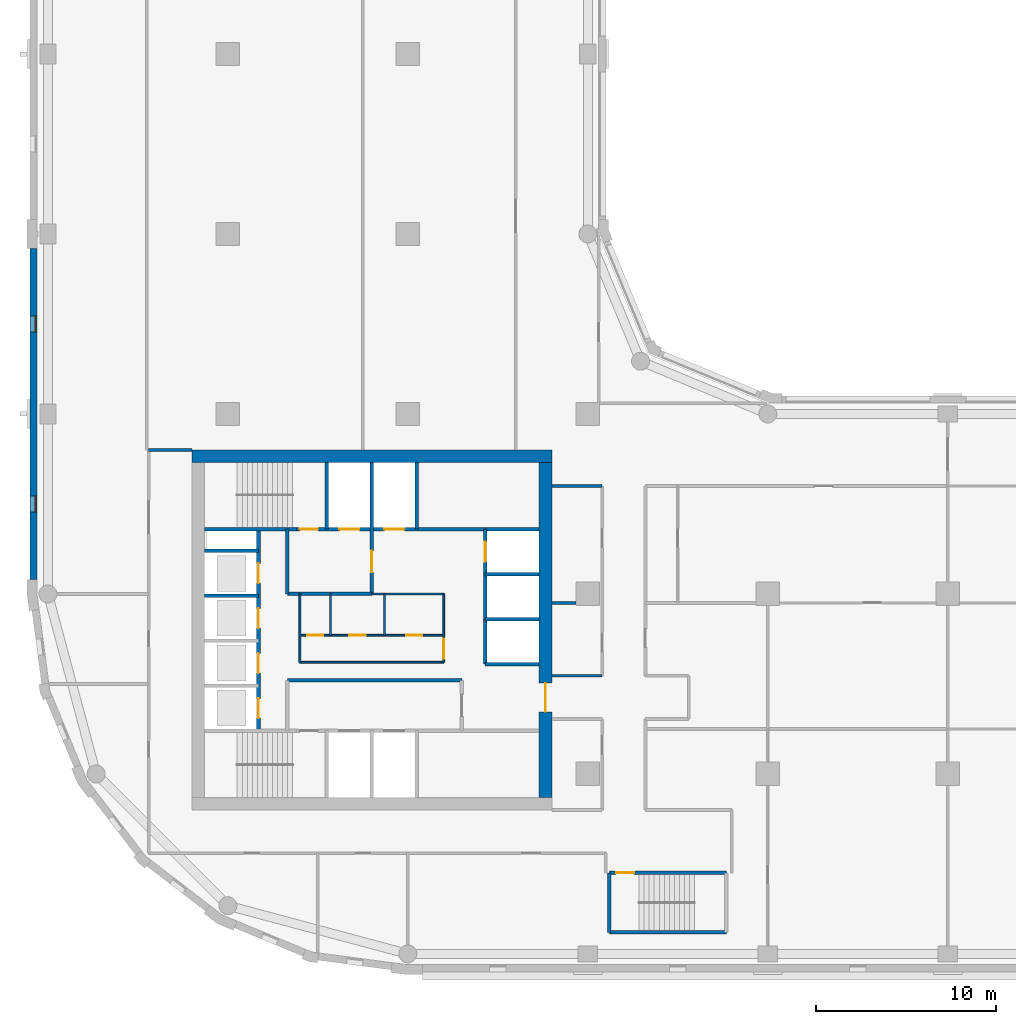
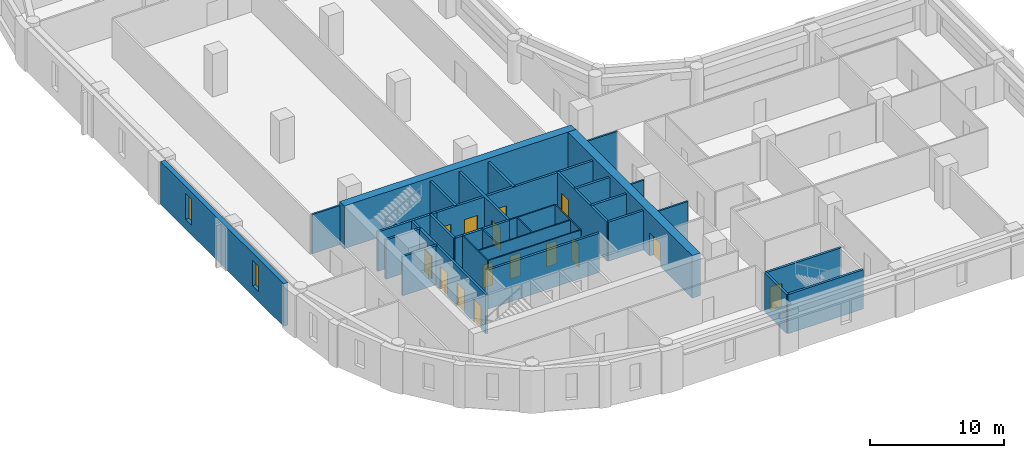
# One storey, part 3 of 9: 32 walls, 15 doors, 2 windows, 17 openings.
"""IFC4 building model written with IfcOpenShell, lengths in metres."""

import ifcopenshell
import ifcopenshell.guid

model = None  # the IFC model being written
_history = None  # IfcOwnerHistory: only IFC2X3 demands one
_inside = {}  # id of a spatial element -> (the spatial element, [elements in it])
_under = {}  # id of a project, library or spatial element -> (it, [spatial elements below it])
_declared = {}  # id of a project -> (the project, [libraries it declares])
_typed = {}  # id of a type object -> (the type object, [elements of that type])
_made_of = {}  # id of a material, layer set ... -> (it, [elements and type objects made of it])


def new_model(schema):
    """Start an empty IFC model of exactly this schema.

    Asked for "IFC4X3", IfcOpenShell would pick the latest addendum, in which some entities
    have other attributes; the version numbers below select the first issue.
    IFC2X3 requires an IfcOwnerHistory on every rooted entity: one is made here for all.
    """
    global model, _history
    if schema == "IFC4X3":
        model = ifcopenshell.file(schema_version=(4, 3, 0, 0))
    else:
        model = ifcopenshell.file(schema=schema)
    _inside.clear()
    _under.clear()
    _declared.clear()
    _typed.clear()
    _made_of.clear()
    _history = None
    if model.schema == "IFC2X3":
        org = make("IfcOrganization", Name="unknown")
        user = make(
            "IfcPersonAndOrganization",
            ThePerson=make("IfcPerson", FamilyName="unknown"),
            TheOrganization=org,
        )
        app = make(
            "IfcApplication",
            ApplicationDeveloper=org,
            Version="unknown",
            ApplicationFullName="unknown",
            ApplicationIdentifier="unknown",
        )
        _history = make(
            "IfcOwnerHistory",
            OwningUser=user,
            OwningApplication=app,
            ChangeAction="ADDED",
            CreationDate=0,
        )
    return model


def make(cls, **values):
    """One entity of the class cls with the attributes given. An attribute that is None is left unset."""
    return model.create_entity(
        cls, **{name: value for name, value in values.items() if value is not None}
    )


def rooted(cls, **values):
    """An entity with a GlobalId (a new one), such as an element, a storey or a relation."""
    return make(cls, GlobalId=ifcopenshell.guid.new(), OwnerHistory=_history, **values)


def si_unit(unit_type, name, prefix=None):
    """IfcSIUnit, for example si_unit("LENGTHUNIT", "METRE", prefix="MILLI")."""
    return make("IfcSIUnit", UnitType=unit_type, Prefix=prefix, Name=name)


def assignment(units):
    """IfcUnitAssignment: the units of a project."""
    return None if units is None else make("IfcUnitAssignment", Units=units)


def point(xyz):
    """IfcCartesianPoint."""
    return None if xyz is None else make("IfcCartesianPoint", Coordinates=xyz)


def direction(xyz):
    """IfcDirection."""
    return None if xyz is None else make("IfcDirection", DirectionRatios=xyz)


def frame(location, z_axis=None, x_axis=None):
    """IfcAxis2Placement3D, a coordinate frame: its origin and axes. An axis left out is left unset."""
    return make(
        "IfcAxis2Placement3D",
        Location=point(location),
        Axis=direction(z_axis),
        RefDirection=direction(x_axis),
    )


def frame_2d(location, x_axis=None):
    """IfcAxis2Placement2D, a coordinate frame in the plane: its origin and x axis."""
    return make(
        "IfcAxis2Placement2D", Location=point(location), RefDirection=direction(x_axis)
    )


def origin():
    """The frame at (0, 0, 0) with its axes left unset."""
    return frame((0.0, 0.0, 0.0))


def place(relative_to, where):
    """IfcLocalPlacement: puts the frame where relative to a parent placement (None: the world)."""
    return make(
        "IfcLocalPlacement", PlacementRelTo=relative_to, RelativePlacement=where
    )


def context(
    kind, dimensions, precision=None, world=None, true_north=None, identifier=None
):
    """IfcGeometricRepresentationContext, for example the 3D "Model" context."""
    return make(
        "IfcGeometricRepresentationContext",
        ContextIdentifier=identifier,
        ContextType=kind,
        CoordinateSpaceDimension=dimensions,
        Precision=precision,
        WorldCoordinateSystem=world,
        TrueNorth=true_north,
    )


def subcontext(parent, identifier, kind, view, scale=None):
    """IfcGeometricRepresentationSubContext, for example "Body" below "Model"."""
    return make(
        "IfcGeometricRepresentationSubContext",
        ContextIdentifier=identifier,
        ContextType=kind,
        ParentContext=parent,
        TargetScale=scale,
        TargetView=view,
    )


def project(units=None, contexts=None):
    """IfcProject with its units and contexts."""
    return rooted(
        "IfcProject",
        Name="project",
        RepresentationContexts=contexts,
        UnitsInContext=assignment(units),
    )


def spatial(cls, under=None, at=None, **own):
    """A site, building, storey or space (cls), placed at a placement, below another one or the project."""
    s = rooted(cls, ObjectPlacement=at, **own)
    if under is not None:
        _under.setdefault(under.id(), (under, []))[1].append(s)
    return s


def profile(cls, at=None, kind="AREA", **sizes):
    """A parametric profile (cls). Its sizes go by their IFC names, for example OverallWidth=200.0."""
    return make(cls, ProfileType=kind, Position=at, **sizes)


def rectangle(**sizes):
    """IfcRectangleProfileDef."""
    return profile("IfcRectangleProfileDef", **sizes)


def extrude(swept, where, along, depth):
    """IfcExtrudedAreaSolid: the profile swept, set in the frame where, extruded along a direction by depth."""
    return make(
        "IfcExtrudedAreaSolid",
        SweptArea=swept,
        Position=where,
        ExtrudedDirection=direction(along),
        Depth=depth,
    )


def shape(context_of_items, identifier, shape_type, items):
    """IfcShapeRepresentation: the items that make up one representation, for example the "Body"."""
    return make(
        "IfcShapeRepresentation",
        ContextOfItems=context_of_items,
        RepresentationIdentifier=identifier,
        RepresentationType=shape_type,
        Items=items,
    )


def material(Name=None, Category=None):
    """IfcMaterial."""
    return make("IfcMaterial", Name=Name, Category=Category)


def layer(
    of_material, thickness, ventilated=None, Name=None, Category=None, Priority=None
):
    """IfcMaterialLayer: one layer of a wall or slab, of a material (None: an air gap)."""
    return make(
        "IfcMaterialLayer",
        Material=of_material,
        LayerThickness=thickness,
        IsVentilated=ventilated,
        Name=Name,
        Category=Category,
        Priority=Priority,
    )


def layer_set(layers, Name=None):
    """IfcMaterialLayerSet."""
    return make("IfcMaterialLayerSet", MaterialLayers=layers, LayerSetName=Name)


def made_of(thing, what):
    """Note that an element or type object is made of a material, layer set ...; save() writes the relation."""
    if what is not None:
        _made_of.setdefault(what.id(), (what, []))[1].append(thing)
    return thing


def type_object(cls, material=None, **own):
    """A type object (cls), such as IfcWallType, which elements share."""
    return made_of(rooted(cls, **own), material)


def element(
    cls,
    number,
    at=None,
    inside=None,
    cuts=None,
    type_object=None,
    material=None,
    context=None,
    identifier="Body",
    shape_type=None,
    held_by="IfcProductDefinitionShape",
    body=None,
    shapes=None,
    **own,
):
    """One element of the class cls, such as IfcWall. Its Tag is "e" and its number.

    at: its placement. inside: the storey or other place that contains it. cuts: it is an
    opening in that element (IfcRelVoidsElement). A single representation is given by context,
    identifier, shape_type and body (its items); several are given by shapes. held_by: the class
    of the entity that holds the representations. save() writes the other relations.
    """
    e = rooted(cls, Tag="e%d" % number, ObjectPlacement=at, **own)
    if body is not None:
        shapes = [shape(context, identifier, shape_type, body)]
    if shapes is not None:
        e.Representation = make(held_by, Representations=shapes)
    if inside is not None:
        _inside.setdefault(inside.id(), (inside, []))[1].append(e)
    if cuts is not None:
        rooted(
            "IfcRelVoidsElement", RelatingBuildingElement=cuts, RelatedOpeningElement=e
        )
    if type_object is not None:
        _typed.setdefault(type_object.id(), (type_object, []))[1].append(e)
    return made_of(e, material)


def fill(opening, filler):
    """IfcRelFillsElement: the door or window that sits in an opening."""
    return rooted(
        "IfcRelFillsElement",
        RelatingOpeningElement=opening,
        RelatedBuildingElement=filler,
    )


def aggregate(whole, parts):
    """IfcRelAggregates: a whole, such as a stair, and the parts it consists of."""
    return rooted("IfcRelAggregates", RelatingObject=whole, RelatedObjects=parts)


def save(model, path):
    """Write the relations noted so far, then the file.

    IfcRelAggregates (storeys below a building ...), IfcRelContainedInSpatialStructure (elements
    in a storey), IfcRelDefinesByType, IfcRelAssociatesMaterial and IfcRelDeclares: one each for
    every whole, place, type object, material and project.
    """
    for whole, parts in _under.values():
        aggregate(whole, parts)
    for where, things in _inside.values():
        rooted(
            "IfcRelContainedInSpatialStructure",
            RelatedElements=things,
            RelatingStructure=where,
        )
    for kind, things in _typed.values():
        rooted("IfcRelDefinesByType", RelatedObjects=things, RelatingType=kind)
    for what, things in _made_of.values():
        rooted("IfcRelAssociatesMaterial", RelatedObjects=things, RelatingMaterial=what)
    for by, libraries in _declared.values():
        rooted("IfcRelDeclares", RelatingContext=by, RelatedDefinitions=libraries)
    model.write(path)


model = new_model("IFC4")

# Units and contexts
model_context = context("Model", 3, precision=1e-05, world=origin(), true_north=direction((0.0, 1.0)))
body_context = subcontext(model_context, "Body", "Model", "MODEL_VIEW")
ifc_project = project(units=[si_unit("LENGTHUNIT", "METRE"), si_unit("AREAUNIT", "SQUARE_METRE"), si_unit("VOLUMEUNIT", "CUBIC_METRE"), si_unit("PLANEANGLEUNIT", "RADIAN"), si_unit("MASSUNIT", "GRAM", prefix="KILO")], contexts=[model_context])

# Site, building, storey
site_placement = place(None, origin())
site = spatial("IfcSite", under=ifc_project, at=site_placement, CompositionType="ELEMENT")
building_placement = place(site_placement, origin())
building = spatial("IfcBuilding", under=site, at=building_placement, Name="Qaws Garden Tower", CompositionType="ELEMENT")
storey_placement = place(building_placement, frame((0.0, 0.0, 225.300048828125)))
storey = spatial("IfcBuildingStorey", under=building, at=storey_placement, Name="L55", CompositionType="ELEMENT", Elevation=225.300048828125)

# Wall, openings, windows
ifc_material_1 = material(Name="Clay facing brick masonry", Category="masonry")
ifc_layer_1 = layer(ifc_material_1, 0.39990234375)
ifc_layer_set_1 = layer_set([ifc_layer_1], Name="Clay facing brick masonry")
wall_type_1 = type_object("IfcWallType", Name="Brick infill wall 400", PredefinedType="SOLIDWALL", material=ifc_layer_set_1)
wall_1_placement = place(storey_placement, frame((-0.800048828125, 39.199951171875, 0.0), z_axis=(0.0, 0.0, 1.0), x_axis=(0.0, -1.0, 0.0)))
wall_1 = element("IfcWall", 1, at=wall_1_placement, inside=storey, type_object=wall_type_1, Name="E-L55-infill-23", PredefinedType="SOLIDWALL", context=body_context, shape_type="SweptSolid", body=[
    extrude(rectangle(XDim=18.39990234375, YDim=0.39990234375, at=frame_2d((9.199951171875, 0.0))), origin(), (0.0, 0.0, 1.0), 3.89990234375),
])
opening_1_placement = place(wall_1_placement, frame((3.75, 0.0, 0.89990234375)))
opening_1 = element("IfcOpeningElement", 2, at=opening_1_placement, cuts=wall_1, Name="Opening W09", PredefinedType="OPENING", context=body_context, shape_type="SweptSolid", body=[
    extrude(rectangle(XDim=0.89990234375, YDim=2.35009765625, at=frame_2d((0.449951171875, 1.175048828125))), frame((0.0, 0.2099609375, 0.0), z_axis=(0.0, -1.0, 0.0), x_axis=(1.0, 0.0, 0.0)), (0.0, 0.0, 1.0), 0.419921875),
])
opening_2_placement = place(wall_1_placement, frame((13.75, 0.0, 0.89990234375)))
opening_2 = element("IfcOpeningElement", 3, at=opening_2_placement, cuts=wall_1, Name="Opening W09", PredefinedType="OPENING", context=body_context, shape_type="SweptSolid", body=[
    extrude(rectangle(XDim=0.89990234375, YDim=2.35009765625, at=frame_2d((0.449951171875, 1.175048828125))), frame((0.0, 0.2099609375, 0.0), z_axis=(0.0, -1.0, 0.0), x_axis=(1.0, 0.0, 0.0)), (0.0, 0.0, 1.0), 0.419921875),
])
ifc_material_2 = material(Name="Aluminium framed window, clear glazing", Category="aluminium")
window_type = type_object("IfcWindowType", Name="Slit window 900 x 2350", PartitioningType="SINGLE_PANEL", PredefinedType="WINDOW", material=ifc_material_2)
window_1_placement = place(opening_1_placement, origin())
window_1 = element("IfcWindow", 4, at=window_1_placement, inside=storey, type_object=window_type, Name="E-L55-window-23-0", OverallHeight=2.35009765625, OverallWidth=0.89990234375, PartitioningType="SINGLE_PANEL", PredefinedType="WINDOW", context=body_context, shape_type="SweptSolid", body=[
    extrude(rectangle(XDim=0.89990234375, YDim=2.35009765625, at=frame_2d((0.449951171875, 1.175048828125))), frame((0.0, 0.159912109375, 0.0), z_axis=(0.0, -1.0, 0.0), x_axis=(1.0, 0.0, 0.0)), (0.0, 0.0, 1.0), 0.06005859375),
])
fill(opening_1, window_1)
window_2_placement = place(opening_2_placement, origin())
window_2 = element("IfcWindow", 5, at=window_2_placement, inside=storey, type_object=window_type, Name="E-L55-window-24-0", OverallHeight=2.35009765625, OverallWidth=0.89990234375, PartitioningType="SINGLE_PANEL", PredefinedType="WINDOW", context=body_context, shape_type="SweptSolid", body=[
    extrude(rectangle(XDim=0.89990234375, YDim=2.35009765625, at=frame_2d((0.449951171875, 1.175048828125))), frame((0.0, 0.159912109375, 0.0), z_axis=(0.0, -1.0, 0.0), x_axis=(1.0, 0.0, 0.0)), (0.0, 0.0, 1.0), 0.06005859375),
])
fill(opening_2, window_2)

# Wall
ifc_material_3 = material(Name="Plasterboard")
ifc_layer_2 = layer(ifc_material_3, 0.10009765625)
ifc_layer_set_2 = layer_set([ifc_layer_2], Name="Plasterboard")
wall_type_2 = type_object("IfcWallType", Name="Core partition 100", PredefinedType="PARTITIONING", material=ifc_layer_set_2)
wall_2_placement = place(storey_placement, frame((14.0, 16.199951171875, 0.0), z_axis=(0.0, 0.0, 1.0), x_axis=(1.0, 0.0, 0.0)))
element("IfcWall", 6, at=wall_2_placement, inside=storey, type_object=wall_type_2, Name="Core partition", PredefinedType="PARTITIONING", context=body_context, shape_type="SweptSolid", body=[
    extrude(rectangle(XDim=8.0, YDim=0.10009765625, at=frame_2d((4.0, 0.0))), origin(), (0.0, 0.0, 1.0), 3.579833984375),
])

# Wall, openings, doors
wall_3_placement = place(storey_placement, frame((14.0, 17.699951171875, 0.0), z_axis=(0.0, 0.0, 1.0), x_axis=(1.0, 0.0, 0.0)))
wall_3 = element("IfcWall", 7, at=wall_3_placement, inside=storey, type_object=wall_type_2, Name="Core partition", PredefinedType="PARTITIONING", context=body_context, shape_type="SweptSolid", body=[
    extrude(rectangle(XDim=8.0, YDim=0.10009765625, at=frame_2d((4.0, 0.0))), origin(), (0.0, 0.0, 1.0), 3.579833984375),
])
opening_3_placement = place(wall_3_placement, frame((0.39990234375, 0.0, 0.0)))
opening_3 = element("IfcOpeningElement", 8, at=opening_3_placement, cuts=wall_3, Name="Opening WD18", PredefinedType="OPENING", context=body_context, shape_type="SweptSolid", body=[
    extrude(rectangle(XDim=0.89990234375, YDim=2.10009765625, at=frame_2d((0.449951171875, 1.050048828125))), frame((0.0, 0.06005859375, 0.0), z_axis=(0.0, -1.0, 0.0), x_axis=(1.0, 0.0, 0.0)), (0.0, 0.0, 1.0), 0.1201171875),
])
opening_4_placement = place(wall_3_placement, frame((2.75, 0.0, 0.0)))
opening_4 = element("IfcOpeningElement", 9, at=opening_4_placement, cuts=wall_3, Name="Opening WD19", PredefinedType="OPENING", context=body_context, shape_type="SweptSolid", body=[
    extrude(rectangle(XDim=0.89990234375, YDim=2.10009765625, at=frame_2d((0.449951171875, 1.050048828125))), frame((0.0, 0.06005859375, 0.0), z_axis=(0.0, -1.0, 0.0), x_axis=(1.0, 0.0, 0.0)), (0.0, 0.0, 1.0), 0.1201171875),
])
opening_5_placement = place(wall_3_placement, frame((5.89990234375, 0.0, 0.0)))
opening_5 = element("IfcOpeningElement", 10, at=opening_5_placement, cuts=wall_3, Name="Opening WD20", PredefinedType="OPENING", context=body_context, shape_type="SweptSolid", body=[
    extrude(rectangle(XDim=0.89990234375, YDim=2.10009765625, at=frame_2d((0.449951171875, 1.050048828125))), frame((0.0, 0.06005859375, 0.0), z_axis=(0.0, -1.0, 0.0), x_axis=(1.0, 0.0, 0.0)), (0.0, 0.0, 1.0), 0.1201171875),
])
ifc_material_4 = material(Name="Timber", Category="wood")
door_type_1 = type_object("IfcDoorType", Name="WC door 900x2100", OperationType="SINGLE_SWING_LEFT", PredefinedType="DOOR", material=ifc_material_4)
door_1_placement = place(opening_3_placement, origin())
door_1 = element("IfcDoor", 11, at=door_1_placement, inside=storey, type_object=door_type_1, Name="Accessible WC door", OperationType="SINGLE_SWING_RIGHT", OverallHeight=2.10009765625, OverallWidth=0.89990234375, PredefinedType="DOOR", context=body_context, shape_type="SweptSolid", body=[
    extrude(rectangle(XDim=0.89990234375, YDim=2.10009765625, at=frame_2d((0.449951171875, 1.050048828125))), frame((0.0, 0.02490234375, 0.0), z_axis=(0.0, -1.0, 0.0), x_axis=(1.0, 0.0, 0.0)), (0.0, 0.0, 1.0), 0.050048828125),
])
fill(opening_3, door_1)
door_2_placement = place(opening_4_placement, origin())
door_2 = element("IfcDoor", 12, at=door_2_placement, inside=storey, type_object=door_type_1, Name="Men's WC door", OperationType="SINGLE_SWING_RIGHT", OverallHeight=2.10009765625, OverallWidth=0.89990234375, PredefinedType="DOOR", context=body_context, shape_type="SweptSolid", body=[
    extrude(rectangle(XDim=0.89990234375, YDim=2.10009765625, at=frame_2d((0.449951171875, 1.050048828125))), frame((0.0, 0.02490234375, 0.0), z_axis=(0.0, -1.0, 0.0), x_axis=(1.0, 0.0, 0.0)), (0.0, 0.0, 1.0), 0.050048828125),
])
fill(opening_4, door_2)
door_3_placement = place(opening_5_placement, origin())
door_3 = element("IfcDoor", 13, at=door_3_placement, inside=storey, type_object=door_type_1, Name="Women's WC door", OperationType="SINGLE_SWING_RIGHT", OverallHeight=2.10009765625, OverallWidth=0.89990234375, PredefinedType="DOOR", context=body_context, shape_type="SweptSolid", body=[
    extrude(rectangle(XDim=0.89990234375, YDim=2.10009765625, at=frame_2d((0.449951171875, 1.050048828125))), frame((0.0, 0.02490234375, 0.0), z_axis=(0.0, -1.0, 0.0), x_axis=(1.0, 0.0, 0.0)), (0.0, 0.0, 1.0), 0.050048828125),
])
fill(opening_5, door_3)

# Walls
wall_4_placement = place(storey_placement, frame((18.0, 20.0, 0.0), z_axis=(0.0, 0.0, 1.0), x_axis=(1.0, 0.0, 0.0)))
element("IfcWall", 14, at=wall_4_placement, inside=storey, type_object=wall_type_2, Name="Core partition", PredefinedType="PARTITIONING", context=body_context, shape_type="SweptSolid", body=[
    extrude(rectangle(XDim=4.0, YDim=0.10009765625, at=frame_2d((2.0, 0.0))), origin(), (0.0, 0.0, 1.0), 3.579833984375),
])
wall_5_placement = place(storey_placement, frame((14.0, 16.199951171875, 0.0), z_axis=(0.0, 0.0, 1.0), x_axis=(0.0, 1.0, 0.0)))
element("IfcWall", 15, at=wall_5_placement, inside=storey, type_object=wall_type_2, Name="Core partition", PredefinedType="PARTITIONING", context=body_context, shape_type="SweptSolid", body=[
    extrude(rectangle(XDim=3.800048828125, YDim=0.10009765625, at=frame_2d((1.89990234375, 0.0))), origin(), (0.0, 0.0, 1.0), 3.579833984375),
])
for number, where, z_axis, x_axis, name in (
    (16, (15.699951171875, 17.699951171875, 0.0), (0.0, 0.0, 1.0), (0.0, 1.0, 0.0), "Core partition"),
    (17, (18.699951171875, 17.699951171875, 0.0), (0.0, 0.0, 1.0), (0.0, 1.0, 0.0), "Core partition"),
):
    element("IfcWall", number, at=place(storey_placement, frame(where, z_axis=z_axis, x_axis=x_axis)), inside=storey, type_object=wall_type_2, Name=name, PredefinedType="PARTITIONING", context=body_context, shape_type="SweptSolid", body=[
        extrude(rectangle(XDim=2.300048828125, YDim=0.10009765625, at=frame_2d((1.14990234375, 0.0))), origin(), (0.0, 0.0, 1.0), 3.579833984375),
    ])

# Wall, opening, door
wall_6_placement = place(storey_placement, frame((22.0, 16.199951171875, 0.0), z_axis=(0.0, 0.0, 1.0), x_axis=(0.0, 1.0, 0.0)))
wall_6 = element("IfcWall", 18, at=wall_6_placement, inside=storey, type_object=wall_type_2, Name="Core partition", PredefinedType="PARTITIONING", context=body_context, shape_type="SweptSolid", body=[
    extrude(rectangle(XDim=3.800048828125, YDim=0.10009765625, at=frame_2d((1.89990234375, 0.0))), origin(), (0.0, 0.0, 1.0), 3.579833984375),
])
opening_6_placement = place(wall_6_placement, frame((0.199951171875, 0.0, 0.0)))
opening_6 = element("IfcOpeningElement", 19, at=opening_6_placement, cuts=wall_6, Name="Opening WL17", PredefinedType="OPENING", context=body_context, shape_type="SweptSolid", body=[
    extrude(rectangle(XDim=1.10009765625, YDim=2.10009765625, at=frame_2d((0.550048828125, 1.050048828125))), frame((0.0, 0.06005859375, 0.0), z_axis=(0.0, -1.0, 0.0), x_axis=(1.0, 0.0, 0.0)), (0.0, 0.0, 1.0), 0.1201171875),
])
ifc_material_5 = material(Name="Timber", Category="wood")
door_type_2 = type_object("IfcDoorType", Name="WC lobby door 1100x2100", OperationType="SINGLE_SWING_LEFT", PredefinedType="DOOR", material=ifc_material_5)
door_4_placement = place(opening_6_placement, origin())
door_4 = element("IfcDoor", 20, at=door_4_placement, inside=storey, type_object=door_type_2, Name="WC lobby door", OperationType="SINGLE_SWING_RIGHT", OverallHeight=2.10009765625, OverallWidth=1.10009765625, PredefinedType="DOOR", context=body_context, shape_type="SweptSolid", body=[
    extrude(rectangle(XDim=1.10009765625, YDim=2.10009765625, at=frame_2d((0.550048828125, 1.050048828125))), frame((0.0, 0.02490234375, 0.0), z_axis=(0.0, -1.0, 0.0), x_axis=(1.0, 0.0, 0.0)), (0.0, 0.0, 1.0), 0.050048828125),
])
fill(opening_6, door_4)

# Wall
ifc_material_6 = material(Name="Concrete C70", Category="concrete")
ifc_layer_3 = layer(ifc_material_6, 0.199951171875)
ifc_layer_set_3 = layer_set([ifc_layer_3], Name="Concrete C70")
wall_type_3 = type_object("IfcWallType", Name="Core shaft wall 200 C70", PredefinedType="SHEAR", material=ifc_layer_set_3)
wall_7_placement = place(storey_placement, frame((31.199951171875, 1.199951171875, 0.0), z_axis=(0.0, 0.0, 1.0), x_axis=(1.0, 0.0, 0.0)))
element("IfcWall", 21, at=wall_7_placement, inside=storey, type_object=wall_type_3, Name="Shaft wall", PredefinedType="SHEAR", context=body_context, shape_type="SweptSolid", body=[
    extrude(rectangle(XDim=6.5, YDim=0.199951171875, at=frame_2d((3.25, 0.0))), origin(), (0.0, 0.0, 1.0), 3.579833984375),
])

# Wall, opening, door
wall_8_placement = place(storey_placement, frame((31.199951171875, 4.5, 0.0), z_axis=(0.0, 0.0, 1.0), x_axis=(1.0, 0.0, 0.0)))
wall_8 = element("IfcWall", 22, at=wall_8_placement, inside=storey, type_object=wall_type_3, Name="Shaft wall", PredefinedType="SHEAR", context=body_context, shape_type="SweptSolid", body=[
    extrude(rectangle(XDim=6.5, YDim=0.199951171875, at=frame_2d((3.25, 0.0))), origin(), (0.0, 0.0, 1.0), 3.579833984375),
])
opening_7_placement = place(wall_8_placement, frame((0.375, 0.0, 0.0)))
opening_7 = element("IfcOpeningElement", 23, at=opening_7_placement, cuts=wall_8, Name="Opening SD12", PredefinedType="OPENING", context=body_context, shape_type="SweptSolid", body=[
    extrude(rectangle(XDim=1.0, YDim=2.10009765625, at=frame_2d((0.5, 1.050048828125))), frame((0.0, 0.10986328125, 0.0), z_axis=(0.0, -1.0, 0.0), x_axis=(1.0, 0.0, 0.0)), (0.0, 0.0, 1.0), 0.219970703125),
])
ifc_material_7 = material(Name="Steel S235", Category="steel")
door_type_3 = type_object("IfcDoorType", Name="Stair door 1000x2100", OperationType="SINGLE_SWING_RIGHT", PredefinedType="DOOR", material=ifc_material_7)
door_5_placement = place(opening_7_placement, frame((1.0, 0.0, 0.0), z_axis=(0.0, 0.0, 1.0), x_axis=(-1.0, 0.0, 0.0)))
door_5 = element("IfcDoor", 24, at=door_5_placement, inside=storey, type_object=door_type_3, Name="Stair 5 door", OperationType="SINGLE_SWING_RIGHT", OverallHeight=2.10009765625, OverallWidth=1.0, PredefinedType="DOOR", context=body_context, shape_type="SweptSolid", body=[
    extrude(rectangle(XDim=1.0, YDim=2.10009765625, at=frame_2d((0.5, 1.050048828125))), frame((0.0, 0.02490234375, 0.0), z_axis=(0.0, -1.0, 0.0), x_axis=(1.0, 0.0, 0.0)), (0.0, 0.0, 1.0), 0.050048828125),
])
fill(opening_7, door_5)

# Walls
wall_9_placement = place(storey_placement, frame((13.300048828125, 15.199951171875, 0.0), z_axis=(0.0, 0.0, 1.0), x_axis=(1.0, 0.0, 0.0)))
element("IfcWall", 25, at=wall_9_placement, inside=storey, type_object=wall_type_3, Name="Shaft wall", PredefinedType="SHEAR", context=body_context, shape_type="SweptSolid", body=[
    extrude(rectangle(XDim=9.699951171875, YDim=0.199951171875, at=frame_2d((4.85009765625, 0.0))), origin(), (0.0, 0.0, 1.0), 3.579833984375),
])
for number, where, z_axis, x_axis, name in (
    (26, (24.300048828125, 16.10009765625, 0.0), (0.0, 0.0, 1.0), (1.0, 0.0, 0.0), "Shaft wall"),
    (27, (24.300048828125, 18.60009765625, 0.0), (0.0, 0.0, 1.0), (1.0, 0.0, 0.0), "Shaft wall"),
    (28, (8.699951171875, 19.89990234375, 0.0), (0.0, 0.0, 1.0), (1.0, 0.0, 0.0), "Shaft wall"),
):
    element("IfcWall", number, at=place(storey_placement, frame(where, z_axis=z_axis, x_axis=x_axis)), inside=storey, type_object=wall_type_3, Name=name, PredefinedType="SHEAR", context=body_context, shape_type="SweptSolid", body=[
        extrude(rectangle(XDim=3.0, YDim=0.199951171875, at=frame_2d((1.5, 0.0))), origin(), (0.0, 0.0, 1.0), 3.579833984375),
    ])
wall_10_placement = place(storey_placement, frame((13.300048828125, 20.0, 0.0), z_axis=(0.0, 0.0, 1.0), x_axis=(1.0, 0.0, 0.0)))
element("IfcWall", 29, at=wall_10_placement, inside=storey, type_object=wall_type_3, Name="Shaft wall", PredefinedType="SHEAR", context=body_context, shape_type="SweptSolid", body=[
    extrude(rectangle(XDim=4.699951171875, YDim=0.199951171875, at=frame_2d((2.35009765625, 0.0))), origin(), (0.0, 0.0, 1.0), 3.579833984375),
])
for number, where, z_axis, x_axis, name in (
    (30, (24.300048828125, 21.10009765625, 0.0), (0.0, 0.0, 1.0), (1.0, 0.0, 0.0), "Shaft wall"),
    (31, (8.699951171875, 22.39990234375, 0.0), (0.0, 0.0, 1.0), (1.0, 0.0, 0.0), "Shaft wall"),
):
    element("IfcWall", number, at=place(storey_placement, frame(where, z_axis=z_axis, x_axis=x_axis)), inside=storey, type_object=wall_type_3, Name=name, PredefinedType="SHEAR", context=body_context, shape_type="SweptSolid", body=[
        extrude(rectangle(XDim=3.0, YDim=0.199951171875, at=frame_2d((1.5, 0.0))), origin(), (0.0, 0.0, 1.0), 3.579833984375),
    ])
wall_11_placement = place(storey_placement, frame((8.699951171875, 23.60009765625, 0.0), z_axis=(0.0, 0.0, 1.0), x_axis=(1.0, 0.0, 0.0)))
element("IfcWall", 32, at=wall_11_placement, inside=storey, type_object=wall_type_3, Name="Shaft wall", PredefinedType="SHEAR", context=body_context, shape_type="SweptSolid", body=[
    extrude(rectangle(XDim=5.10009765625, YDim=0.199951171875, at=frame_2d((2.550048828125, 0.0))), origin(), (0.0, 0.0, 1.0), 3.579833984375),
])

# Wall, openings, doors
wall_12_placement = place(storey_placement, frame((13.800048828125, 23.60009765625, 0.0), z_axis=(0.0, 0.0, 1.0), x_axis=(1.0, 0.0, 0.0)))
wall_12 = element("IfcWall", 33, at=wall_12_placement, inside=storey, type_object=wall_type_3, Name="Shaft wall", PredefinedType="SHEAR", context=body_context, shape_type="SweptSolid", body=[
    extrude(rectangle(XDim=13.5, YDim=0.199951171875, at=frame_2d((6.75, 0.0))), origin(), (0.0, 0.0, 1.0), 3.579833984375),
])
opening_8_placement = place(wall_12_placement, frame((2.39990234375, 0.0, 0.0)))
opening_8 = element("IfcOpeningElement", 34, at=opening_8_placement, cuts=wall_12, Name="Opening LD08", PredefinedType="OPENING", context=body_context, shape_type="SweptSolid", body=[
    extrude(rectangle(XDim=1.10009765625, YDim=2.10009765625, at=frame_2d((0.550048828125, 1.050048828125))), frame((0.0, 0.10986328125, 0.0), z_axis=(0.0, -1.0, 0.0), x_axis=(1.0, 0.0, 0.0)), (0.0, 0.0, 1.0), 0.219970703125),
])
opening_9_placement = place(wall_12_placement, frame((4.89990234375, 0.0, 0.0)))
opening_9 = element("IfcOpeningElement", 35, at=opening_9_placement, cuts=wall_12, Name="Opening LD09", PredefinedType="OPENING", context=body_context, shape_type="SweptSolid", body=[
    extrude(rectangle(XDim=1.10009765625, YDim=2.10009765625, at=frame_2d((0.550048828125, 1.050048828125))), frame((0.0, 0.10986328125, 0.0), z_axis=(0.0, -1.0, 0.0), x_axis=(1.0, 0.0, 0.0)), (0.0, 0.0, 1.0), 0.219970703125),
])
opening_10_placement = place(wall_12_placement, frame((0.199951171875, 0.0, 0.0)))
opening_10 = element("IfcOpeningElement", 36, at=opening_10_placement, cuts=wall_12, Name="Opening SD11", PredefinedType="OPENING", context=body_context, shape_type="SweptSolid", body=[
    extrude(rectangle(XDim=1.0, YDim=2.10009765625, at=frame_2d((0.5, 1.050048828125))), frame((0.0, 0.10986328125, 0.0), z_axis=(0.0, -1.0, 0.0), x_axis=(1.0, 0.0, 0.0)), (0.0, 0.0, 1.0), 0.219970703125),
])
ifc_material_8 = material(Name="Steel S235", Category="steel")
door_type_4 = type_object("IfcDoorType", Name="Landing door 1100x2100", OperationType="DOUBLE_DOOR_SLIDING", PredefinedType="DOOR", material=ifc_material_8)
door_6_placement = place(opening_8_placement, origin())
door_6 = element("IfcDoor", 37, at=door_6_placement, inside=storey, type_object=door_type_4, Name="Lift FF3 landing door", OperationType="DOUBLE_DOOR_SLIDING", OverallHeight=2.10009765625, OverallWidth=1.10009765625, PredefinedType="DOOR", context=body_context, shape_type="SweptSolid", body=[
    extrude(rectangle(XDim=1.10009765625, YDim=2.10009765625, at=frame_2d((0.550048828125, 1.050048828125))), frame((0.0, 0.02490234375, 0.0), z_axis=(0.0, -1.0, 0.0), x_axis=(1.0, 0.0, 0.0)), (0.0, 0.0, 1.0), 0.050048828125),
])
fill(opening_8, door_6)
door_7_placement = place(opening_9_placement, origin())
door_7 = element("IfcDoor", 38, at=door_7_placement, inside=storey, type_object=door_type_4, Name="Lift SV2 landing door", OperationType="DOUBLE_DOOR_SLIDING", OverallHeight=2.10009765625, OverallWidth=1.10009765625, PredefinedType="DOOR", context=body_context, shape_type="SweptSolid", body=[
    extrude(rectangle(XDim=1.10009765625, YDim=2.10009765625, at=frame_2d((0.550048828125, 1.050048828125))), frame((0.0, 0.02490234375, 0.0), z_axis=(0.0, -1.0, 0.0), x_axis=(1.0, 0.0, 0.0)), (0.0, 0.0, 1.0), 0.050048828125),
])
fill(opening_9, door_7)
door_8_placement = place(opening_10_placement, origin())
door_8 = element("IfcDoor", 39, at=door_8_placement, inside=storey, type_object=door_type_3, Name="Stair 4 door", OperationType="SINGLE_SWING_RIGHT", OverallHeight=2.10009765625, OverallWidth=1.0, PredefinedType="DOOR", context=body_context, shape_type="SweptSolid", body=[
    extrude(rectangle(XDim=1.0, YDim=2.10009765625, at=frame_2d((0.5, 1.050048828125))), frame((0.0, 0.02490234375, 0.0), z_axis=(0.0, -1.0, 0.0), x_axis=(1.0, 0.0, 0.0)), (0.0, 0.0, 1.0), 0.050048828125),
])
fill(opening_10, door_8)

wall_13_placement = place(storey_placement, frame((11.699951171875, 12.39990234375, 0.0), z_axis=(0.0, 0.0, 1.0), x_axis=(0.0, 1.0, 0.0)))
wall_13 = element("IfcWall", 40, at=wall_13_placement, inside=storey, type_object=wall_type_3, Name="Shaft wall", PredefinedType="SHEAR", context=body_context, shape_type="SweptSolid", body=[
    extrude(rectangle(XDim=11.2001953125, YDim=0.199951171875, at=frame_2d((5.60009765625, 0.0))), origin(), (0.0, 0.0, 1.0), 3.579833984375),
])
opening_11_placement = place(wall_13_placement, frame((0.699951171875, 0.0, 0.0)))
opening_11 = element("IfcOpeningElement", 41, at=opening_11_placement, cuts=wall_13, Name="Opening LD01", PredefinedType="OPENING", context=body_context, shape_type="SweptSolid", body=[
    extrude(rectangle(XDim=1.10009765625, YDim=2.10009765625, at=frame_2d((0.550048828125, 1.050048828125))), frame((0.0, 0.10986328125, 0.0), z_axis=(0.0, -1.0, 0.0), x_axis=(1.0, 0.0, 0.0)), (0.0, 0.0, 1.0), 0.219970703125),
])
opening_12_placement = place(wall_13_placement, frame((3.199951171875, 0.0, 0.0)))
opening_12 = element("IfcOpeningElement", 42, at=opening_12_placement, cuts=wall_13, Name="Opening LD02", PredefinedType="OPENING", context=body_context, shape_type="SweptSolid", body=[
    extrude(rectangle(XDim=1.10009765625, YDim=2.10009765625, at=frame_2d((0.550048828125, 1.050048828125))), frame((0.0, 0.10986328125, 0.0), z_axis=(0.0, -1.0, 0.0), x_axis=(1.0, 0.0, 0.0)), (0.0, 0.0, 1.0), 0.219970703125),
])
opening_13_placement = place(wall_13_placement, frame((5.699951171875, 0.0, 0.0)))
opening_13 = element("IfcOpeningElement", 43, at=opening_13_placement, cuts=wall_13, Name="Opening LD03", PredefinedType="OPENING", context=body_context, shape_type="SweptSolid", body=[
    extrude(rectangle(XDim=1.10009765625, YDim=2.10009765625, at=frame_2d((0.550048828125, 1.050048828125))), frame((0.0, 0.10986328125, 0.0), z_axis=(0.0, -1.0, 0.0), x_axis=(1.0, 0.0, 0.0)), (0.0, 0.0, 1.0), 0.219970703125),
])
opening_14_placement = place(wall_13_placement, frame((8.199951171875, 0.0, 0.0)))
opening_14 = element("IfcOpeningElement", 44, at=opening_14_placement, cuts=wall_13, Name="Opening LD04", PredefinedType="OPENING", context=body_context, shape_type="SweptSolid", body=[
    extrude(rectangle(XDim=1.10009765625, YDim=2.10009765625, at=frame_2d((0.550048828125, 1.050048828125))), frame((0.0, 0.10986328125, 0.0), z_axis=(0.0, -1.0, 0.0), x_axis=(1.0, 0.0, 0.0)), (0.0, 0.0, 1.0), 0.219970703125),
])
door_9_placement = place(opening_11_placement, origin())
door_9 = element("IfcDoor", 45, at=door_9_placement, inside=storey, type_object=door_type_4, Name="Lift W1 landing door", OperationType="DOUBLE_DOOR_SLIDING", OverallHeight=2.10009765625, OverallWidth=1.10009765625, PredefinedType="DOOR", context=body_context, shape_type="SweptSolid", body=[
    extrude(rectangle(XDim=1.10009765625, YDim=2.10009765625, at=frame_2d((0.550048828125, 1.050048828125))), frame((0.0, 0.02490234375, 0.0), z_axis=(0.0, -1.0, 0.0), x_axis=(1.0, 0.0, 0.0)), (0.0, 0.0, 1.0), 0.050048828125),
])
fill(opening_11, door_9)
door_10_placement = place(opening_12_placement, origin())
door_10 = element("IfcDoor", 46, at=door_10_placement, inside=storey, type_object=door_type_4, Name="Lift W2 landing door", OperationType="DOUBLE_DOOR_SLIDING", OverallHeight=2.10009765625, OverallWidth=1.10009765625, PredefinedType="DOOR", context=body_context, shape_type="SweptSolid", body=[
    extrude(rectangle(XDim=1.10009765625, YDim=2.10009765625, at=frame_2d((0.550048828125, 1.050048828125))), frame((0.0, 0.02490234375, 0.0), z_axis=(0.0, -1.0, 0.0), x_axis=(1.0, 0.0, 0.0)), (0.0, 0.0, 1.0), 0.050048828125),
])
fill(opening_12, door_10)
door_11_placement = place(opening_13_placement, origin())
door_11 = element("IfcDoor", 47, at=door_11_placement, inside=storey, type_object=door_type_4, Name="Lift W3 landing door", OperationType="DOUBLE_DOOR_SLIDING", OverallHeight=2.10009765625, OverallWidth=1.10009765625, PredefinedType="DOOR", context=body_context, shape_type="SweptSolid", body=[
    extrude(rectangle(XDim=1.10009765625, YDim=2.10009765625, at=frame_2d((0.550048828125, 1.050048828125))), frame((0.0, 0.02490234375, 0.0), z_axis=(0.0, -1.0, 0.0), x_axis=(1.0, 0.0, 0.0)), (0.0, 0.0, 1.0), 0.050048828125),
])
fill(opening_13, door_11)
door_12_placement = place(opening_14_placement, origin())
door_12 = element("IfcDoor", 48, at=door_12_placement, inside=storey, type_object=door_type_4, Name="Lift W4 landing door", OperationType="DOUBLE_DOOR_SLIDING", OverallHeight=2.10009765625, OverallWidth=1.10009765625, PredefinedType="DOOR", context=body_context, shape_type="SweptSolid", body=[
    extrude(rectangle(XDim=1.10009765625, YDim=2.10009765625, at=frame_2d((0.550048828125, 1.050048828125))), frame((0.0, 0.02490234375, 0.0), z_axis=(0.0, -1.0, 0.0), x_axis=(1.0, 0.0, 0.0)), (0.0, 0.0, 1.0), 0.050048828125),
])
fill(opening_14, door_12)

# Walls
wall_14_placement = place(storey_placement, frame((13.300048828125, 20.0, 0.0), z_axis=(0.0, 0.0, 1.0), x_axis=(0.0, 1.0, 0.0)))
element("IfcWall", 49, at=wall_14_placement, inside=storey, type_object=wall_type_3, Name="Shaft wall", PredefinedType="SHEAR", context=body_context, shape_type="SweptSolid", body=[
    extrude(rectangle(XDim=3.60009765625, YDim=0.199951171875, at=frame_2d((1.800048828125, 0.0))), origin(), (0.0, 0.0, 1.0), 3.579833984375),
])
wall_15_placement = place(storey_placement, frame((15.5, 23.60009765625, 0.0), z_axis=(0.0, 0.0, 1.0), x_axis=(0.0, 1.0, 0.0)))
element("IfcWall", 50, at=wall_15_placement, inside=storey, type_object=wall_type_3, Name="Shaft wall", PredefinedType="SHEAR", context=body_context, shape_type="SweptSolid", body=[
    extrude(rectangle(XDim=3.699951171875, YDim=0.199951171875, at=frame_2d((1.85009765625, 0.0))), origin(), (0.0, 0.0, 1.0), 3.579833984375),
])

# Wall, opening, door
wall_16_placement = place(storey_placement, frame((18.0, 20.0, 0.0), z_axis=(0.0, 0.0, 1.0), x_axis=(0.0, 1.0, 0.0)))
wall_16 = element("IfcWall", 51, at=wall_16_placement, inside=storey, type_object=wall_type_3, Name="Shaft wall", PredefinedType="SHEAR", context=body_context, shape_type="SweptSolid", body=[
    extrude(rectangle(XDim=7.300048828125, YDim=0.199951171875, at=frame_2d((3.64990234375, 0.0))), origin(), (0.0, 0.0, 1.0), 3.579833984375),
])
opening_15_placement = place(wall_16_placement, frame((1.199951171875, 0.0, 0.0)))
opening_15 = element("IfcOpeningElement", 52, at=opening_15_placement, cuts=wall_16, Name="Opening FD16", PredefinedType="OPENING", context=body_context, shape_type="SweptSolid", body=[
    extrude(rectangle(XDim=1.199951171875, YDim=2.10009765625, at=frame_2d((0.60009765625, 1.050048828125))), frame((0.0, 0.10986328125, 0.0), z_axis=(0.0, -1.0, 0.0), x_axis=(1.0, 0.0, 0.0)), (0.0, 0.0, 1.0), 0.219970703125),
])
ifc_material_9 = material(Name="Steel S235", Category="steel")
door_type_5 = type_object("IfcDoorType", Name="Lobby door 1200x2100", OperationType="DOUBLE_DOOR_SINGLE_SWING", PredefinedType="DOOR", material=ifc_material_9)
door_13_placement = place(opening_15_placement, origin())
door_13 = element("IfcDoor", 53, at=door_13_placement, inside=storey, type_object=door_type_5, Name="Fire-fighting lobby door", OperationType="DOUBLE_DOOR_SINGLE_SWING", OverallHeight=2.10009765625, OverallWidth=1.199951171875, PredefinedType="DOOR", context=body_context, shape_type="SweptSolid", body=[
    extrude(rectangle(XDim=1.199951171875, YDim=2.10009765625, at=frame_2d((0.60009765625, 1.050048828125))), frame((0.0, 0.02490234375, 0.0), z_axis=(0.0, -1.0, 0.0), x_axis=(1.0, 0.0, 0.0)), (0.0, 0.0, 1.0), 0.050048828125),
])
fill(opening_15, door_13)

# Wall
wall_17_placement = place(storey_placement, frame((20.5, 23.60009765625, 0.0), z_axis=(0.0, 0.0, 1.0), x_axis=(0.0, 1.0, 0.0)))
element("IfcWall", 54, at=wall_17_placement, inside=storey, type_object=wall_type_3, Name="Shaft wall", PredefinedType="SHEAR", context=body_context, shape_type="SweptSolid", body=[
    extrude(rectangle(XDim=3.699951171875, YDim=0.199951171875, at=frame_2d((1.85009765625, 0.0))), origin(), (0.0, 0.0, 1.0), 3.579833984375),
])

# Wall, opening, door
wall_18_placement = place(storey_placement, frame((24.300048828125, 16.10009765625, 0.0), z_axis=(0.0, 0.0, 1.0), x_axis=(0.0, 1.0, 0.0)))
wall_18 = element("IfcWall", 55, at=wall_18_placement, inside=storey, type_object=wall_type_3, Name="Shaft wall", PredefinedType="SHEAR", context=body_context, shape_type="SweptSolid", body=[
    extrude(rectangle(XDim=7.5, YDim=0.199951171875, at=frame_2d((3.75, 0.0))), origin(), (0.0, 0.0, 1.0), 3.579833984375),
])
opening_16_placement = place(wall_18_placement, frame((5.699951171875, 0.0, 0.0)))
opening_16 = element("IfcOpeningElement", 56, at=opening_16_placement, cuts=wall_18, Name="Opening LD05", PredefinedType="OPENING", context=body_context, shape_type="SweptSolid", body=[
    extrude(rectangle(XDim=1.10009765625, YDim=2.10009765625, at=frame_2d((0.550048828125, 1.050048828125))), frame((0.0, 0.10986328125, 0.0), z_axis=(0.0, -1.0, 0.0), x_axis=(1.0, 0.0, 0.0)), (0.0, 0.0, 1.0), 0.219970703125),
])
door_14_placement = place(opening_16_placement, origin())
door_14 = element("IfcDoor", 57, at=door_14_placement, inside=storey, type_object=door_type_4, Name="Lift E3 landing door", OperationType="DOUBLE_DOOR_SLIDING", OverallHeight=2.10009765625, OverallWidth=1.10009765625, PredefinedType="DOOR", context=body_context, shape_type="SweptSolid", body=[
    extrude(rectangle(XDim=1.10009765625, YDim=2.10009765625, at=frame_2d((0.550048828125, 1.050048828125))), frame((0.0, 0.02490234375, 0.0), z_axis=(0.0, -1.0, 0.0), x_axis=(1.0, 0.0, 0.0)), (0.0, 0.0, 1.0), 0.050048828125),
])
fill(opening_16, door_14)

# Wall
wall_19_placement = place(storey_placement, frame((31.199951171875, 1.199951171875, 0.0), z_axis=(0.0, 0.0, 1.0), x_axis=(0.0, 1.0, 0.0)))
element("IfcWall", 58, at=wall_19_placement, inside=storey, type_object=wall_type_3, Name="Shaft wall", PredefinedType="SHEAR", context=body_context, shape_type="SweptSolid", body=[
    extrude(rectangle(XDim=3.300048828125, YDim=0.199951171875, at=frame_2d((1.64990234375, 0.0))), origin(), (0.0, 0.0, 1.0), 3.579833984375),
])

# Wall, opening, door
ifc_material_10 = material(Name="Concrete C70", Category="concrete")
ifc_layer_4 = layer(ifc_material_10, 0.699951171875)
ifc_layer_set_4 = layer_set([ifc_layer_4], Name="Concrete C70")
wall_type_4 = type_object("IfcWallType", Name="Core wall 700 C70", PredefinedType="SHEAR", material=ifc_layer_set_4)
wall_20_placement = place(storey_placement, frame((27.64990234375, 8.699951171875, 0.0), z_axis=(0.0, 0.0, 1.0), x_axis=(0.0, 1.0, 0.0)))
wall_20 = element("IfcWall", 59, at=wall_20_placement, inside=storey, type_object=wall_type_4, Name="Core wall L55 east", PredefinedType="SHEAR", context=body_context, shape_type="SweptSolid", body=[
    extrude(rectangle(XDim=18.60009765625, YDim=0.699951171875, at=frame_2d((9.300048828125, 0.0))), origin(), (0.0, 0.0, 1.0), 3.89990234375),
])
opening_17_placement = place(wall_20_placement, frame((4.75, 0.0, 0.0)))
opening_17 = element("IfcOpeningElement", 60, at=opening_17_placement, cuts=wall_20, Name="Opening ED21", PredefinedType="OPENING", context=body_context, shape_type="SweptSolid", body=[
    extrude(rectangle(XDim=1.60009765625, YDim=2.10009765625, at=frame_2d((0.800048828125, 1.050048828125))), frame((0.0, 0.35986328125, 0.0), z_axis=(0.0, -1.0, 0.0), x_axis=(1.0, 0.0, 0.0)), (0.0, 0.0, 1.0), 0.719970703125),
])
ifc_material_11 = material(Name="Steel S235", Category="steel")
door_type_6 = type_object("IfcDoorType", Name="Core entrance door 1600x2100", OperationType="DOUBLE_DOOR_SINGLE_SWING", PredefinedType="DOOR", material=ifc_material_11)
door_15_placement = place(opening_17_placement, origin())
door_15 = element("IfcDoor", 61, at=door_15_placement, inside=storey, type_object=door_type_6, Name="Core entrance door", OperationType="DOUBLE_DOOR_SINGLE_SWING", OverallHeight=2.10009765625, OverallWidth=1.60009765625, PredefinedType="DOOR", context=body_context, shape_type="SweptSolid", body=[
    extrude(rectangle(XDim=1.60009765625, YDim=2.10009765625, at=frame_2d((0.800048828125, 1.050048828125))), frame((0.0, 0.02490234375, 0.0), z_axis=(0.0, -1.0, 0.0), x_axis=(1.0, 0.0, 0.0)), (0.0, 0.0, 1.0), 0.050048828125),
])
fill(opening_17, door_15)

# Walls
wall_21_placement = place(storey_placement, frame((28.0, 27.64990234375, 0.0), z_axis=(0.0, 0.0, 1.0), x_axis=(-1.0, 0.0, 0.0)))
element("IfcWall", 62, at=wall_21_placement, inside=storey, type_object=wall_type_4, Name="Core wall L55 north", PredefinedType="SHEAR", context=body_context, shape_type="SweptSolid", body=[
    extrude(rectangle(XDim=20.0, YDim=0.699951171875, at=frame_2d((10.0, 0.0))), origin(), (0.0, 0.0, 1.0), 3.89990234375),
])
ifc_material_12 = material(Name="Gypsum board partition")
ifc_layer_5 = layer(ifc_material_12, 0.14990234375)
ifc_layer_set_5 = layer_set([ifc_layer_5], Name="Gypsum board partition")
wall_type_5 = type_object("IfcWallType", Name="PARTITION 150 EI 60", PredefinedType="PARTITIONING", material=ifc_layer_set_5)
wall_22_placement = place(storey_placement, frame((28.0, 15.449951171875, 0.0), z_axis=(0.0, 0.0, 1.0), x_axis=(1.0, 0.0, 0.0)))
element("IfcWall", 63, at=wall_22_placement, inside=storey, type_object=wall_type_5, Name="O-L55-wall-037", PredefinedType="PARTITIONING", context=body_context, shape_type="SweptSolid", body=[
    extrude(rectangle(XDim=2.800048828125, YDim=0.14990234375, at=frame_2d((1.39990234375, 0.0))), origin(), (0.0, 0.0, 1.0), 3.579833984375),
])
wall_23_placement = place(storey_placement, frame((28.0, 19.5, 0.0), z_axis=(0.0, 0.0, 1.0), x_axis=(1.0, 0.0, 0.0)))
element("IfcWall", 64, at=wall_23_placement, inside=storey, type_object=wall_type_5, Name="O-L55-wall-039", PredefinedType="PARTITIONING", context=body_context, shape_type="SweptSolid", body=[
    extrude(rectangle(XDim=1.35009765625, YDim=0.14990234375, at=frame_2d((0.675048828125, 0.0))), origin(), (0.0, 0.0, 1.0), 3.579833984375),
])
wall_24_placement = place(storey_placement, frame((28.0, 26.0, 0.0), z_axis=(0.0, 0.0, 1.0), x_axis=(1.0, 0.0, 0.0)))
element("IfcWall", 65, at=wall_24_placement, inside=storey, type_object=wall_type_5, Name="O-L55-wall-042", PredefinedType="PARTITIONING", context=body_context, shape_type="SweptSolid", body=[
    extrude(rectangle(XDim=2.800048828125, YDim=0.14990234375, at=frame_2d((1.39990234375, 0.0))), origin(), (0.0, 0.0, 1.0), 3.579833984375),
])
wall_25_placement = place(storey_placement, frame((5.60009765625, 28.0, 0.0), z_axis=(0.0, 0.0, 1.0), x_axis=(1.0, 0.0, 0.0)))
element("IfcWall", 66, at=wall_25_placement, inside=storey, type_object=wall_type_5, Name="O-L55-wall-044", PredefinedType="PARTITIONING", context=body_context, shape_type="SweptSolid", body=[
    extrude(rectangle(XDim=2.39990234375, YDim=0.14990234375, at=frame_2d((1.199951171875, 0.0))), origin(), (0.0, 0.0, 1.0), 3.579833984375),
])

save(model, "model.ifc")
